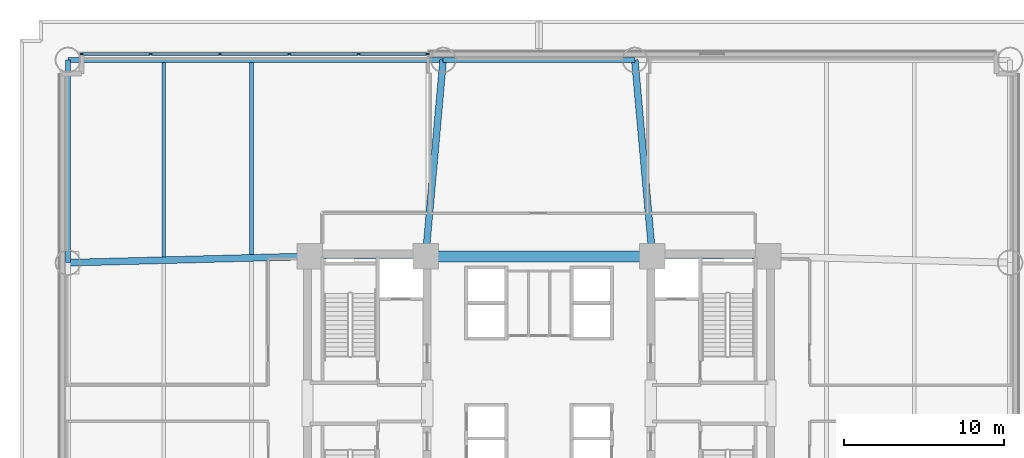
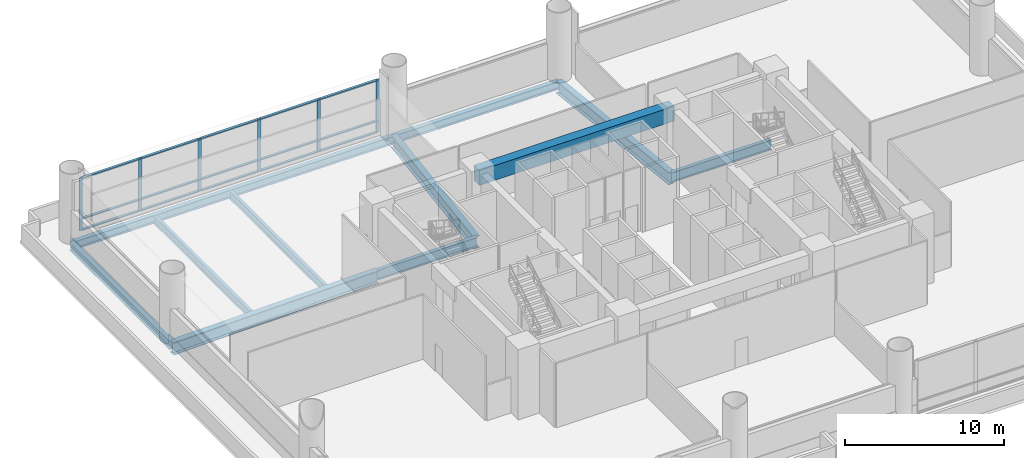
# One storey, part 3 of 12: 21 members, 11 beams, 1 element without a shape of its own.
"""IFC4 building model written with IfcOpenShell, lengths in metres."""

from ifc_helpers import new_model, si_unit, direction, frame, origin, origin_2d, place, context, subcontext, project, spatial, rectangle, i_section, extrude, source, transform, mapped, material, layer, layer_set, material_profile, profile_set, type_object, element, aggregate, save


model = new_model("IFC4")

# Units and contexts
model_context = context("Model", 3, precision=1e-05, world=origin(), true_north=direction((0.0, 1.0)))
body_context = subcontext(model_context, "Body", "Model", "MODEL_VIEW")
ifc_project = project(units=[si_unit("LENGTHUNIT", "METRE"), si_unit("AREAUNIT", "SQUARE_METRE"), si_unit("VOLUMEUNIT", "CUBIC_METRE"), si_unit("PLANEANGLEUNIT", "RADIAN"), si_unit("MASSUNIT", "GRAM", prefix="KILO")], contexts=[model_context])

# Site, building, storey
site_placement = place(None, origin())
site = spatial("IfcSite", under=ifc_project, at=site_placement, CompositionType="ELEMENT")
building_placement = place(site_placement, origin())
building = spatial("IfcBuilding", under=site, at=building_placement, Name="Zahravan Cultural Tower", CompositionType="ELEMENT")
storey_placement = place(building_placement, frame((0.0, 0.0, 18.0)))
storey = spatial("IfcBuildingStorey", under=building, at=storey_placement, Name="L03", CompositionType="ELEMENT", Elevation=18.0)

# Beams
ifc_material_1 = material(Name="Concrete C50/60", Category="concrete")
ifc_material_profile_1 = material_profile(ifc_material_1, rectangle(XDim=0.699951171875, YDim=1.14990234375, at=origin_2d()), Name="RC700X1150")
ifc_profile_set_1 = profile_set([ifc_material_profile_1], Name="Concrete C50/60")
beam_type_1 = type_object("IfcBeamType", Name="BM-LN-RC700X1150", PredefinedType="LINTEL", material=ifc_profile_set_1)
shared_shape_1 = source(origin(), body_context, "Body", "SweptSolid", [
    extrude(rectangle(XDim=0.699951171875, YDim=1.14990234375, at=origin_2d()), origin(), (0.0, 0.0, 1.0), 14.2001953125),
])
beam_1_placement = place(storey_placement, frame((28.89990234375, 36.199951171875, 4.375), z_axis=(1.0, 0.0, 0.0), x_axis=(0.0, 1.0, 0.0)))
element("IfcBeam", 1, at=beam_1_placement, inside=storey, type_object=beam_type_1, Name="L03 Beam LN-L03-N", PredefinedType="LINTEL", context=body_context, shape_type="MappedRepresentation", body=[
    mapped(shared_shape_1, transform((0.0, 0.0, 0.0), x_axis=(1.0, 0.0, 0.0), y_axis=(0.0, 1.0, 0.0), z_axis=(0.0, 0.0, 1.0), scale=1.0)),
])
ifc_material_2 = material(Name="Steel ASTM A992 Grade 50", Category="steel")
ifc_material_profile_2 = material_profile(ifc_material_2, i_section(OverallWidth=0.26611328125, OverallDepth=0.780029296875, WebThickness=0.0166015625, FlangeThickness=0.030029296875, FilletRadius=0.01904296875, at=origin_2d()), Name="W30X148")
ifc_profile_set_2 = profile_set([ifc_material_profile_2], Name="Steel ASTM A992 Grade 50")
beam_type_2 = type_object("IfcBeamType", Name="BM-G-W30X148", PredefinedType="BEAM", material=ifc_profile_set_2)
shared_shape_2 = source(origin(), body_context, "Body", "SweptSolid", [
    extrude(i_section(OverallWidth=0.26611328125, OverallDepth=0.780029296875, WebThickness=0.0166015625, FlangeThickness=0.030029296875, FilletRadius=0.01904296875, at=origin_2d()), origin(), (0.0, 0.0, 1.0), 7.25),
])
for number, where, z_axis, x_axis, name in (
    (2, (21.64990234375, 36.199951171875, -0.68994140625), (1.0, 0.0, 0.0), (0.0, 1.0, 0.0), "L03 Beam BG-L03-02"),
    (3, (43.10009765625, 36.199951171875, -0.68994140625), (1.0, 0.0, 0.0), (0.0, 1.0, 0.0), "L03 Beam BG-L03-05"),
):
    element("IfcBeam", number, at=place(storey_placement, frame(where, z_axis=z_axis, x_axis=x_axis)), inside=storey, type_object=beam_type_2, Name=name, PredefinedType="BEAM", context=body_context, shape_type="MappedRepresentation", body=[
        mapped(shared_shape_2, transform((0.0, 0.0, 0.0), x_axis=(1.0, 0.0, 0.0), y_axis=(0.0, 1.0, 0.0), z_axis=(0.0, 0.0, 1.0), scale=1.0)),
    ])
ifc_material_profile_3 = material_profile(ifc_material_2, i_section(OverallWidth=0.326904296875, OverallDepth=0.6220703125, WebThickness=0.015380859375, FlangeThickness=0.0244140625, FilletRadius=0.014892578125, at=origin_2d()), Name="W24X131")
ifc_profile_set_3 = profile_set([ifc_material_profile_3], Name="Steel ASTM A992 Grade 50")
beam_type_3 = type_object("IfcBeamType", Name="BM-SP-W24X131", PredefinedType="SPANDREL", material=ifc_profile_set_3)
shared_shape_3 = source(origin(), body_context, "Body", "SweptSolid", [
    extrude(i_section(OverallWidth=0.326904296875, OverallDepth=0.6220703125, WebThickness=0.015380859375, FlangeThickness=0.0244140625, FilletRadius=0.014892578125, at=origin_2d()), origin(), (0.0, 0.0, 1.0), 23.5),
])
beam_2_placement = place(storey_placement, frame((6.5, 48.5, -0.611083984375), z_axis=(1.0, 0.0, 0.0), x_axis=(0.0, 1.0, 0.0)))
element("IfcBeam", 4, at=beam_2_placement, inside=storey, type_object=beam_type_3, Name="L03 Beam BG-L03-10", PredefinedType="SPANDREL", context=body_context, shape_type="MappedRepresentation", body=[
    mapped(shared_shape_3, transform((0.0, 0.0, 0.0), x_axis=(1.0, 0.0, 0.0), y_axis=(0.0, 1.0, 0.0), z_axis=(0.0, 0.0, 1.0), scale=1.0)),
])
shared_shape_4 = source(origin(), body_context, "Body", "SweptSolid", [
    extrude(i_section(OverallWidth=0.326904296875, OverallDepth=0.6220703125, WebThickness=0.015380859375, FlangeThickness=0.0244140625, FilletRadius=0.014892578125, at=origin_2d()), origin(), (0.0, 0.0, 1.0), 12.0),
])
beam_3_placement = place(storey_placement, frame((30.0, 48.5, -0.611083984375), z_axis=(1.0, 0.0, 0.0), x_axis=(0.0, 1.0, 0.0)))
element("IfcBeam", 5, at=beam_3_placement, inside=storey, type_object=beam_type_3, Name="L03 Beam BG-L03-11", PredefinedType="SPANDREL", context=body_context, shape_type="MappedRepresentation", body=[
    mapped(shared_shape_4, transform((0.0, 0.0, 0.0), x_axis=(1.0, 0.0, 0.0), y_axis=(0.0, 1.0, 0.0), z_axis=(0.0, 0.0, 1.0), scale=1.0)),
])
shared_shape_5 = source(origin(), body_context, "Body", "SweptSolid", [
    extrude(i_section(OverallWidth=0.326904296875, OverallDepth=0.6220703125, WebThickness=0.015380859375, FlangeThickness=0.0244140625, FilletRadius=0.014892578125, at=origin_2d()), origin(), (0.0, 0.0, 1.0), 12.699951171875),
])
beam_4_placement = place(storey_placement, frame((6.5, 35.800048828125, -0.611083984375), z_axis=(0.0, 1.0, 0.0), x_axis=(-1.0, 0.0, 0.0)))
element("IfcBeam", 6, at=beam_4_placement, inside=storey, type_object=beam_type_3, Name="L03 Beam BG-L03-15", PredefinedType="SPANDREL", context=body_context, shape_type="MappedRepresentation", body=[
    mapped(shared_shape_5, transform((0.0, 0.0, 0.0), x_axis=(1.0, 0.0, 0.0), y_axis=(0.0, 1.0, 0.0), z_axis=(0.0, 0.0, 1.0), scale=1.0)),
])
ifc_material_profile_4 = material_profile(ifc_material_2, i_section(OverallWidth=0.425048828125, OverallDepth=0.965087890625, WebThickness=0.0283203125, FlangeThickness=0.051025390625, FilletRadius=0.02392578125, at=origin_2d()), Name="W36X361")
ifc_profile_set_4 = profile_set([ifc_material_profile_4], Name="Steel ASTM A992 Grade 50")
beam_type_4 = type_object("IfcBeamType", Name="BM-G-W36X361", PredefinedType="BEAM", material=ifc_profile_set_4)
shared_shape_6 = source(origin(), body_context, "Body", "SweptSolid", [
    extrude(i_section(OverallWidth=0.425048828125, OverallDepth=0.965087890625, WebThickness=0.0283203125, FlangeThickness=0.051025390625, FilletRadius=0.02392578125, at=origin_2d()), origin(), (0.0, 0.0, 1.0), 15.1552734375),
])
beam_5_placement = place(storey_placement, frame((6.5, 35.800048828125, -0.782470703125), z_axis=(0.999651797923, 0.026387173188, 0.0), x_axis=(-0.026387173188, 0.999651797923, 0.0)))
element("IfcBeam", 7, at=beam_5_placement, inside=storey, type_object=beam_type_4, Name="L03 Beam BG-L03-20", PredefinedType="BEAM", context=body_context, shape_type="MappedRepresentation", body=[
    mapped(shared_shape_6, transform((0.0, 0.0, 0.0), x_axis=(1.0, 0.0, 0.0), y_axis=(0.0, 1.0, 0.0), z_axis=(0.0, 0.0, 1.0), scale=1.0)),
])
shared_shape_7 = source(origin(), body_context, "Body", "SweptSolid", [
    extrude(i_section(OverallWidth=0.425048828125, OverallDepth=0.965087890625, WebThickness=0.0283203125, FlangeThickness=0.051025390625, FilletRadius=0.02392578125, at=origin_2d()), origin(), (0.0, 0.0, 1.0), 12.34912109375),
])
for number, where, z_axis, x_axis, name in (
    (8, (30.0, 48.5, -0.782470703125), (-0.089082890706, -0.996024215862, 0.0), (0.996024215862, -0.089082890706, 0.0), "L03 Beam BG-L03-25"),
    (9, (42.0, 48.5, -0.782470703125), (0.089082890706, -0.996024215862, 0.0), (0.996024215862, 0.089082890706, 0.0), "L03 Beam BG-L03-26"),
):
    element("IfcBeam", number, at=place(storey_placement, frame(where, z_axis=z_axis, x_axis=x_axis)), inside=storey, type_object=beam_type_4, Name=name, PredefinedType="BEAM", context=body_context, shape_type="MappedRepresentation", body=[
        mapped(shared_shape_7, transform((0.0, 0.0, 0.0), x_axis=(1.0, 0.0, 0.0), y_axis=(0.0, 1.0, 0.0), z_axis=(0.0, 0.0, 1.0), scale=1.0)),
    ])
ifc_material_profile_5 = material_profile(ifc_material_2, i_section(OverallWidth=0.22998046875, OverallDepth=0.616943359375, WebThickness=0.01318359375, FlangeThickness=0.022216796875, FilletRadius=0.014892578125, at=origin_2d()), Name="W24X94")
ifc_profile_set_5 = profile_set([ifc_material_profile_5], Name="Steel ASTM A992 Grade 50")
beam_type_5 = type_object("IfcBeamType", Name="BM-J-W24X94", PredefinedType="JOIST", material=ifc_profile_set_5)
shared_shape_8 = source(origin(), body_context, "Body", "SweptSolid", [
    extrude(i_section(OverallWidth=0.22998046875, OverallDepth=0.616943359375, WebThickness=0.01318359375, FlangeThickness=0.022216796875, FilletRadius=0.014892578125, at=origin_2d()), origin(), (0.0, 0.0, 1.0), 12.16357421875),
])
beam_6_placement = place(storey_placement, frame((12.5, 36.17138671875, -0.6083984375), z_axis=(0.0, 1.0, 0.0), x_axis=(-1.0, 0.0, 0.0)))
element("IfcBeam", 10, at=beam_6_placement, inside=storey, type_object=beam_type_5, Name="L03 Beam BJ-L03-29", PredefinedType="JOIST", context=body_context, shape_type="MappedRepresentation", body=[
    mapped(shared_shape_8, transform((0.0, 0.0, 0.0), x_axis=(1.0, 0.0, 0.0), y_axis=(0.0, 1.0, 0.0), z_axis=(0.0, 0.0, 1.0), scale=1.0)),
])
shared_shape_9 = source(origin(), body_context, "Body", "SweptSolid", [
    extrude(i_section(OverallWidth=0.22998046875, OverallDepth=0.616943359375, WebThickness=0.01318359375, FlangeThickness=0.022216796875, FilletRadius=0.014892578125, at=origin_2d()), origin(), (0.0, 0.0, 1.0), 12.018310546875),
])
beam_7_placement = place(storey_placement, frame((18.0, 36.316650390625, -0.6083984375), z_axis=(0.0, 1.0, 0.0), x_axis=(-1.0, 0.0, 0.0)))
element("IfcBeam", 11, at=beam_7_placement, inside=storey, type_object=beam_type_5, Name="L03 Beam BJ-L03-32", PredefinedType="JOIST", context=body_context, shape_type="MappedRepresentation", body=[
    mapped(shared_shape_9, transform((0.0, 0.0, 0.0), x_axis=(1.0, 0.0, 0.0), y_axis=(0.0, 1.0, 0.0), z_axis=(0.0, 0.0, 1.0), scale=1.0)),
])

# Curtain wall, members
ifc_material_3 = material(Name="Anodised bronze-aluminium mullion", Category="aluminium")
ifc_layer = layer(ifc_material_3, 0.239990234375)
ifc_layer_set = layer_set([ifc_layer], Name="Anodised bronze-aluminium mullion")
curtain_wall_type = type_object("IfcCurtainWallType", Name="CW-SYS-5", PredefinedType="USERDEFINED", material=ifc_layer_set)
curtain_wall_placement = place(storey_placement, origin())
curtain_wall = element("IfcCurtainWall", 12, at=curtain_wall_placement, inside=storey, type_object=curtain_wall_type, Name="L03 Recessed Curtain Wall CW-5.2", ObjectType="RECESSED GLAZING", PredefinedType="USERDEFINED")
ifc_material_profile_6 = material_profile(ifc_material_3, rectangle(XDim=0.0849609375, YDim=0.239990234375, at=origin_2d()), Name="AL-M85X240")
ifc_profile_set_6 = profile_set([ifc_material_profile_6], Name="Anodised bronze-aluminium mullion")
member_type_1 = type_object("IfcMemberType", Name="CWM-CW-5", PredefinedType="MULLION", material=ifc_profile_set_6)
shared_shape_10 = source(origin(), body_context, "Body", "SweptSolid", [
    extrude(rectangle(XDim=0.0849609375, YDim=0.239990234375, at=origin_2d()), origin(), (0.0, 0.0, 1.0), 4.070068359375),
])
member_1_placement = place(storey_placement, frame((7.382568359375, 48.860107421875, 0.0), z_axis=(0.0, 0.0, 1.0), x_axis=(0.0, 1.0, 0.0)))
member_1 = element("IfcMember", 13, at=member_1_placement, type_object=member_type_1, Name="CW-5 mullion 1", PredefinedType="MULLION", context=body_context, shape_type="MappedRepresentation", body=[
    mapped(shared_shape_10, transform((0.0, 0.0, 0.0), x_axis=(1.0, 0.0, 0.0), y_axis=(0.0, 1.0, 0.0), z_axis=(0.0, 0.0, 1.0), scale=1.0)),
])
member_2_placement = place(storey_placement, frame((11.681884765625, 48.860107421875, 0.0), z_axis=(0.0, 0.0, 1.0), x_axis=(0.0, 1.0, 0.0)))
member_2 = element("IfcMember", 14, at=member_2_placement, type_object=member_type_1, Name="CW-5 mullion 2", PredefinedType="MULLION", context=body_context, shape_type="MappedRepresentation", body=[
    mapped(shared_shape_10, transform((0.0, 0.0, 0.0), x_axis=(1.0, 0.0, 0.0), y_axis=(0.0, 1.0, 0.0), z_axis=(0.0, 0.0, 1.0), scale=1.0)),
])
member_3_placement = place(storey_placement, frame((16.02392578125, 48.860107421875, 0.0), z_axis=(0.0, 0.0, 1.0), x_axis=(0.0, 1.0, 0.0)))
member_3 = element("IfcMember", 15, at=member_3_placement, type_object=member_type_1, Name="CW-5 mullion 3", PredefinedType="MULLION", context=body_context, shape_type="MappedRepresentation", body=[
    mapped(shared_shape_10, transform((0.0, 0.0, 0.0), x_axis=(1.0, 0.0, 0.0), y_axis=(0.0, 1.0, 0.0), z_axis=(0.0, 0.0, 1.0), scale=1.0)),
])
member_4_placement = place(storey_placement, frame((20.365966796875, 48.860107421875, 0.0), z_axis=(0.0, 0.0, 1.0), x_axis=(0.0, 1.0, 0.0)))
member_4 = element("IfcMember", 16, at=member_4_placement, type_object=member_type_1, Name="CW-5 mullion 4", PredefinedType="MULLION", context=body_context, shape_type="MappedRepresentation", body=[
    mapped(shared_shape_10, transform((0.0, 0.0, 0.0), x_axis=(1.0, 0.0, 0.0), y_axis=(0.0, 1.0, 0.0), z_axis=(0.0, 0.0, 1.0), scale=1.0)),
])
member_5_placement = place(storey_placement, frame((24.7080078125, 48.860107421875, 0.0), z_axis=(0.0, 0.0, 1.0), x_axis=(0.0, 1.0, 0.0)))
member_5 = element("IfcMember", 17, at=member_5_placement, type_object=member_type_1, Name="CW-5 mullion 5", PredefinedType="MULLION", context=body_context, shape_type="MappedRepresentation", body=[
    mapped(shared_shape_10, transform((0.0, 0.0, 0.0), x_axis=(1.0, 0.0, 0.0), y_axis=(0.0, 1.0, 0.0), z_axis=(0.0, 0.0, 1.0), scale=1.0)),
])
member_6_placement = place(storey_placement, frame((29.007568359375, 48.860107421875, 0.0), z_axis=(0.0, 0.0, 1.0), x_axis=(0.0, 1.0, 0.0)))
member_6 = element("IfcMember", 18, at=member_6_placement, type_object=member_type_1, Name="CW-5 mullion 6", PredefinedType="MULLION", context=body_context, shape_type="MappedRepresentation", body=[
    mapped(shared_shape_10, transform((0.0, 0.0, 0.0), x_axis=(1.0, 0.0, 0.0), y_axis=(0.0, 1.0, 0.0), z_axis=(0.0, 0.0, 1.0), scale=1.0)),
])
ifc_material_profile_7 = material_profile(ifc_material_3, rectangle(XDim=0.179931640625, YDim=0.0849609375, at=origin_2d()), Name="AL-T85X180")
ifc_profile_set_7 = profile_set([ifc_material_profile_7], Name="Anodised bronze-aluminium mullion")
member_type_2 = type_object("IfcMemberType", Name="CWT-CW-5", PredefinedType="USERDEFINED", material=ifc_profile_set_7)
shared_shape_11 = source(origin(), body_context, "Body", "SweptSolid", [
    extrude(rectangle(XDim=0.179931640625, YDim=0.0849609375, at=origin_2d()), origin(), (0.0, 0.0, 1.0), 4.21435546875),
])
member_7_placement = place(storey_placement, frame((7.425048828125, 48.860107421875, 0.04248046875), z_axis=(1.0, 0.0, 0.0), x_axis=(0.0, 1.0, 0.0)))
member_7 = element("IfcMember", 19, at=member_7_placement, type_object=member_type_2, Name="CW-5 transom 1.1", ObjectType="TRANSOM", PredefinedType="USERDEFINED", context=body_context, shape_type="MappedRepresentation", body=[
    mapped(shared_shape_11, transform((0.0, 0.0, 0.0), x_axis=(1.0, 0.0, 0.0), y_axis=(0.0, 1.0, 0.0), z_axis=(0.0, 0.0, 1.0), scale=1.0)),
])
member_8_placement = place(storey_placement, frame((7.425048828125, 48.860107421875, 0.89990234375), z_axis=(1.0, 0.0, 0.0), x_axis=(0.0, 1.0, 0.0)))
member_8 = element("IfcMember", 20, at=member_8_placement, type_object=member_type_2, Name="CW-5 transom 1.2", ObjectType="TRANSOM", PredefinedType="USERDEFINED", context=body_context, shape_type="MappedRepresentation", body=[
    mapped(shared_shape_11, transform((0.0, 0.0, 0.0), x_axis=(1.0, 0.0, 0.0), y_axis=(0.0, 1.0, 0.0), z_axis=(0.0, 0.0, 1.0), scale=1.0)),
])
member_9_placement = place(storey_placement, frame((7.425048828125, 48.860107421875, 4.027587890625), z_axis=(1.0, 0.0, 0.0), x_axis=(0.0, 1.0, 0.0)))
member_9 = element("IfcMember", 21, at=member_9_placement, type_object=member_type_2, Name="CW-5 transom 1.3", ObjectType="TRANSOM", PredefinedType="USERDEFINED", context=body_context, shape_type="MappedRepresentation", body=[
    mapped(shared_shape_11, transform((0.0, 0.0, 0.0), x_axis=(1.0, 0.0, 0.0), y_axis=(0.0, 1.0, 0.0), z_axis=(0.0, 0.0, 1.0), scale=1.0)),
])
shared_shape_12 = source(origin(), body_context, "Body", "SweptSolid", [
    extrude(rectangle(XDim=0.179931640625, YDim=0.0849609375, at=origin_2d()), origin(), (0.0, 0.0, 1.0), 4.2568359375),
])
member_10_placement = place(storey_placement, frame((11.724609375, 48.860107421875, 0.04248046875), z_axis=(1.0, 0.0, 0.0), x_axis=(0.0, 1.0, 0.0)))
member_10 = element("IfcMember", 22, at=member_10_placement, type_object=member_type_2, Name="CW-5 transom 2.1", ObjectType="TRANSOM", PredefinedType="USERDEFINED", context=body_context, shape_type="MappedRepresentation", body=[
    mapped(shared_shape_12, transform((0.0, 0.0, 0.0), x_axis=(1.0, 0.0, 0.0), y_axis=(0.0, 1.0, 0.0), z_axis=(0.0, 0.0, 1.0), scale=1.0)),
])
member_11_placement = place(storey_placement, frame((11.724609375, 48.860107421875, 0.89990234375), z_axis=(1.0, 0.0, 0.0), x_axis=(0.0, 1.0, 0.0)))
member_11 = element("IfcMember", 23, at=member_11_placement, type_object=member_type_2, Name="CW-5 transom 2.2", ObjectType="TRANSOM", PredefinedType="USERDEFINED", context=body_context, shape_type="MappedRepresentation", body=[
    mapped(shared_shape_12, transform((0.0, 0.0, 0.0), x_axis=(1.0, 0.0, 0.0), y_axis=(0.0, 1.0, 0.0), z_axis=(0.0, 0.0, 1.0), scale=1.0)),
])
member_12_placement = place(storey_placement, frame((11.724609375, 48.860107421875, 4.027587890625), z_axis=(1.0, 0.0, 0.0), x_axis=(0.0, 1.0, 0.0)))
member_12 = element("IfcMember", 24, at=member_12_placement, type_object=member_type_2, Name="CW-5 transom 2.3", ObjectType="TRANSOM", PredefinedType="USERDEFINED", context=body_context, shape_type="MappedRepresentation", body=[
    mapped(shared_shape_12, transform((0.0, 0.0, 0.0), x_axis=(1.0, 0.0, 0.0), y_axis=(0.0, 1.0, 0.0), z_axis=(0.0, 0.0, 1.0), scale=1.0)),
])
shared_shape_13 = source(origin(), body_context, "Body", "SweptSolid", [
    extrude(rectangle(XDim=0.179931640625, YDim=0.0849609375, at=origin_2d()), origin(), (0.0, 0.0, 1.0), 4.257080078125),
])
member_13_placement = place(storey_placement, frame((16.06640625, 48.860107421875, 0.04248046875), z_axis=(1.0, 0.0, 0.0), x_axis=(0.0, 1.0, 0.0)))
member_13 = element("IfcMember", 25, at=member_13_placement, type_object=member_type_2, Name="CW-5 transom 3.1", ObjectType="TRANSOM", PredefinedType="USERDEFINED", context=body_context, shape_type="MappedRepresentation", body=[
    mapped(shared_shape_13, transform((0.0, 0.0, 0.0), x_axis=(1.0, 0.0, 0.0), y_axis=(0.0, 1.0, 0.0), z_axis=(0.0, 0.0, 1.0), scale=1.0)),
])
member_14_placement = place(storey_placement, frame((16.06640625, 48.860107421875, 0.89990234375), z_axis=(1.0, 0.0, 0.0), x_axis=(0.0, 1.0, 0.0)))
member_14 = element("IfcMember", 26, at=member_14_placement, type_object=member_type_2, Name="CW-5 transom 3.2", ObjectType="TRANSOM", PredefinedType="USERDEFINED", context=body_context, shape_type="MappedRepresentation", body=[
    mapped(shared_shape_13, transform((0.0, 0.0, 0.0), x_axis=(1.0, 0.0, 0.0), y_axis=(0.0, 1.0, 0.0), z_axis=(0.0, 0.0, 1.0), scale=1.0)),
])
member_15_placement = place(storey_placement, frame((16.06640625, 48.860107421875, 4.027587890625), z_axis=(1.0, 0.0, 0.0), x_axis=(0.0, 1.0, 0.0)))
member_15 = element("IfcMember", 27, at=member_15_placement, type_object=member_type_2, Name="CW-5 transom 3.3", ObjectType="TRANSOM", PredefinedType="USERDEFINED", context=body_context, shape_type="MappedRepresentation", body=[
    mapped(shared_shape_13, transform((0.0, 0.0, 0.0), x_axis=(1.0, 0.0, 0.0), y_axis=(0.0, 1.0, 0.0), z_axis=(0.0, 0.0, 1.0), scale=1.0)),
])
member_16_placement = place(storey_placement, frame((20.408447265625, 48.860107421875, 0.04248046875), z_axis=(1.0, 0.0, 0.0), x_axis=(0.0, 1.0, 0.0)))
member_16 = element("IfcMember", 28, at=member_16_placement, type_object=member_type_2, Name="CW-5 transom 4.1", ObjectType="TRANSOM", PredefinedType="USERDEFINED", context=body_context, shape_type="MappedRepresentation", body=[
    mapped(shared_shape_13, transform((0.0, 0.0, 0.0), x_axis=(1.0, 0.0, 0.0), y_axis=(0.0, 1.0, 0.0), z_axis=(0.0, 0.0, 1.0), scale=1.0)),
])
member_17_placement = place(storey_placement, frame((20.408447265625, 48.860107421875, 0.89990234375), z_axis=(1.0, 0.0, 0.0), x_axis=(0.0, 1.0, 0.0)))
member_17 = element("IfcMember", 29, at=member_17_placement, type_object=member_type_2, Name="CW-5 transom 4.2", ObjectType="TRANSOM", PredefinedType="USERDEFINED", context=body_context, shape_type="MappedRepresentation", body=[
    mapped(shared_shape_13, transform((0.0, 0.0, 0.0), x_axis=(1.0, 0.0, 0.0), y_axis=(0.0, 1.0, 0.0), z_axis=(0.0, 0.0, 1.0), scale=1.0)),
])
member_18_placement = place(storey_placement, frame((20.408447265625, 48.860107421875, 4.027587890625), z_axis=(1.0, 0.0, 0.0), x_axis=(0.0, 1.0, 0.0)))
member_18 = element("IfcMember", 30, at=member_18_placement, type_object=member_type_2, Name="CW-5 transom 4.3", ObjectType="TRANSOM", PredefinedType="USERDEFINED", context=body_context, shape_type="MappedRepresentation", body=[
    mapped(shared_shape_13, transform((0.0, 0.0, 0.0), x_axis=(1.0, 0.0, 0.0), y_axis=(0.0, 1.0, 0.0), z_axis=(0.0, 0.0, 1.0), scale=1.0)),
])
shared_shape_14 = source(origin(), body_context, "Body", "SweptSolid", [
    extrude(rectangle(XDim=0.179931640625, YDim=0.0849609375, at=origin_2d()), origin(), (0.0, 0.0, 1.0), 4.214599609375),
])
member_19_placement = place(storey_placement, frame((24.75048828125, 48.860107421875, 0.04248046875), z_axis=(1.0, 0.0, 0.0), x_axis=(0.0, 1.0, 0.0)))
member_19 = element("IfcMember", 31, at=member_19_placement, type_object=member_type_2, Name="CW-5 transom 5.1", ObjectType="TRANSOM", PredefinedType="USERDEFINED", context=body_context, shape_type="MappedRepresentation", body=[
    mapped(shared_shape_14, transform((0.0, 0.0, 0.0), x_axis=(1.0, 0.0, 0.0), y_axis=(0.0, 1.0, 0.0), z_axis=(0.0, 0.0, 1.0), scale=1.0)),
])
member_20_placement = place(storey_placement, frame((24.75048828125, 48.860107421875, 0.89990234375), z_axis=(1.0, 0.0, 0.0), x_axis=(0.0, 1.0, 0.0)))
member_20 = element("IfcMember", 32, at=member_20_placement, type_object=member_type_2, Name="CW-5 transom 5.2", ObjectType="TRANSOM", PredefinedType="USERDEFINED", context=body_context, shape_type="MappedRepresentation", body=[
    mapped(shared_shape_14, transform((0.0, 0.0, 0.0), x_axis=(1.0, 0.0, 0.0), y_axis=(0.0, 1.0, 0.0), z_axis=(0.0, 0.0, 1.0), scale=1.0)),
])
member_21_placement = place(storey_placement, frame((24.75048828125, 48.860107421875, 4.027587890625), z_axis=(1.0, 0.0, 0.0), x_axis=(0.0, 1.0, 0.0)))
member_21 = element("IfcMember", 33, at=member_21_placement, type_object=member_type_2, Name="CW-5 transom 5.3", ObjectType="TRANSOM", PredefinedType="USERDEFINED", context=body_context, shape_type="MappedRepresentation", body=[
    mapped(shared_shape_14, transform((0.0, 0.0, 0.0), x_axis=(1.0, 0.0, 0.0), y_axis=(0.0, 1.0, 0.0), z_axis=(0.0, 0.0, 1.0), scale=1.0)),
])
aggregate(curtain_wall, [member_1, member_2, member_3, member_4, member_5, member_6, member_7, member_8, member_9, member_10, member_11, member_12, member_13, member_14, member_15, member_16, member_17, member_18, member_19, member_20, member_21])

save(model, "model.ifc")
